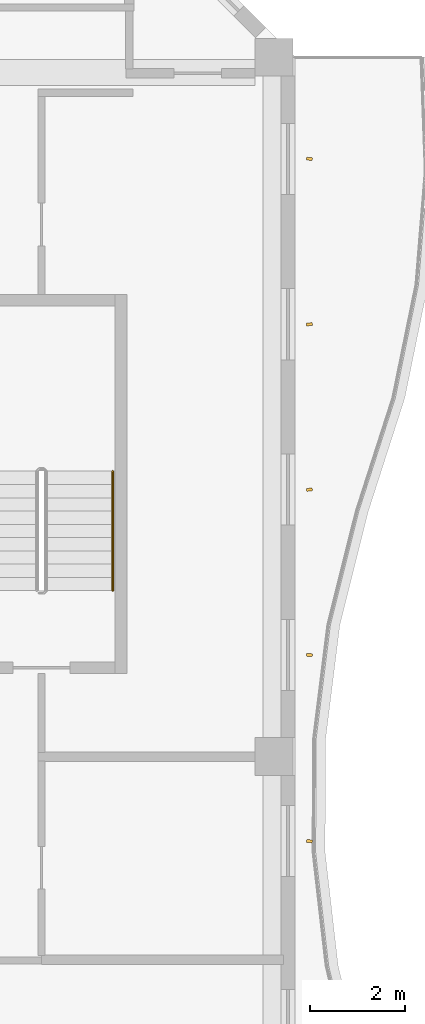
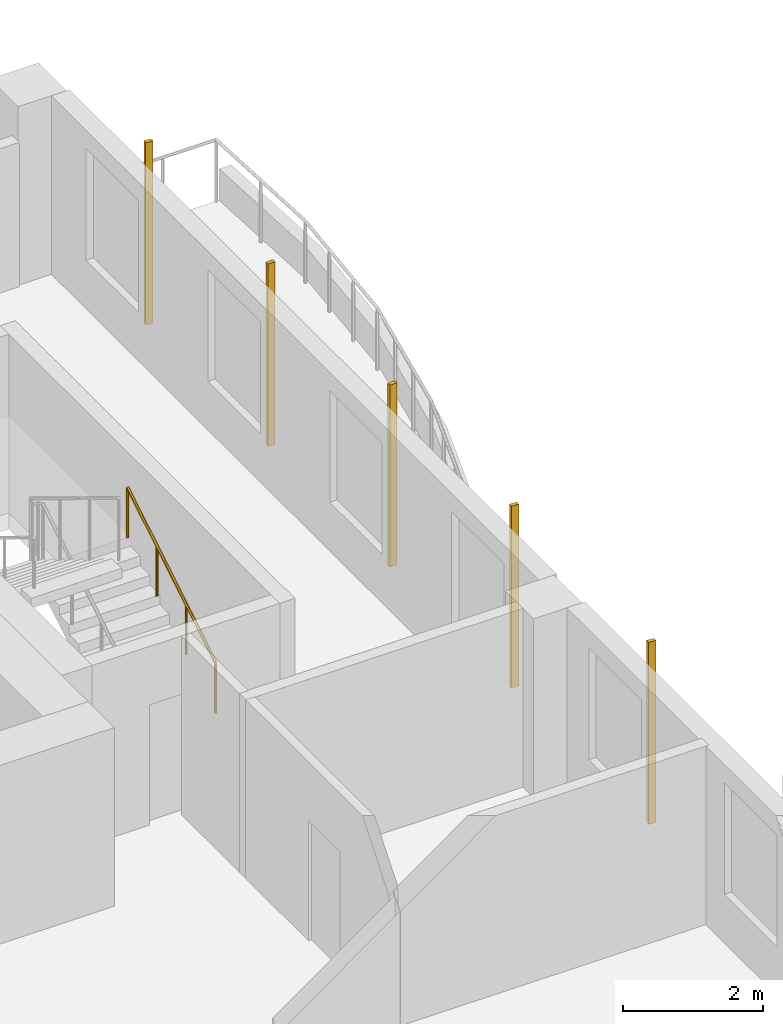
# One storey, part 21 of 21: 5 shading devices, 1 railing.
"""IFC4 building model written with IfcOpenShell, lengths in metres."""

import ifcopenshell
import ifcopenshell.guid

model = None  # the IFC model being written
_history = None  # IfcOwnerHistory: only IFC2X3 demands one
_inside = {}  # id of a spatial element -> (the spatial element, [elements in it])
_under = {}  # id of a project, library or spatial element -> (it, [spatial elements below it])
_declared = {}  # id of a project -> (the project, [libraries it declares])
_typed = {}  # id of a type object -> (the type object, [elements of that type])
_made_of = {}  # id of a material, layer set ... -> (it, [elements and type objects made of it])


def new_model(schema):
    """Start an empty IFC model of exactly this schema.

    Asked for "IFC4X3", IfcOpenShell would pick the latest addendum, in which some entities
    have other attributes; the version numbers below select the first issue.
    IFC2X3 requires an IfcOwnerHistory on every rooted entity: one is made here for all.
    """
    global model, _history
    if schema == "IFC4X3":
        model = ifcopenshell.file(schema_version=(4, 3, 0, 0))
    else:
        model = ifcopenshell.file(schema=schema)
    _inside.clear()
    _under.clear()
    _declared.clear()
    _typed.clear()
    _made_of.clear()
    _history = None
    if model.schema == "IFC2X3":
        org = make("IfcOrganization", Name="unknown")
        user = make(
            "IfcPersonAndOrganization",
            ThePerson=make("IfcPerson", FamilyName="unknown"),
            TheOrganization=org,
        )
        app = make(
            "IfcApplication",
            ApplicationDeveloper=org,
            Version="unknown",
            ApplicationFullName="unknown",
            ApplicationIdentifier="unknown",
        )
        _history = make(
            "IfcOwnerHistory",
            OwningUser=user,
            OwningApplication=app,
            ChangeAction="ADDED",
            CreationDate=0,
        )
    return model


def make(cls, **values):
    """One entity of the class cls with the attributes given. An attribute that is None is left unset."""
    return model.create_entity(
        cls, **{name: value for name, value in values.items() if value is not None}
    )


def rooted(cls, **values):
    """An entity with a GlobalId (a new one), such as an element, a storey or a relation."""
    return make(cls, GlobalId=ifcopenshell.guid.new(), OwnerHistory=_history, **values)


def si_unit(unit_type, name, prefix=None):
    """IfcSIUnit, for example si_unit("LENGTHUNIT", "METRE", prefix="MILLI")."""
    return make("IfcSIUnit", UnitType=unit_type, Prefix=prefix, Name=name)


def assignment(units):
    """IfcUnitAssignment: the units of a project."""
    return None if units is None else make("IfcUnitAssignment", Units=units)


def point(xyz):
    """IfcCartesianPoint."""
    return None if xyz is None else make("IfcCartesianPoint", Coordinates=xyz)


def direction(xyz):
    """IfcDirection."""
    return None if xyz is None else make("IfcDirection", DirectionRatios=xyz)


def frame(location, z_axis=None, x_axis=None):
    """IfcAxis2Placement3D, a coordinate frame: its origin and axes. An axis left out is left unset."""
    return make(
        "IfcAxis2Placement3D",
        Location=point(location),
        Axis=direction(z_axis),
        RefDirection=direction(x_axis),
    )


def frame_2d(location, x_axis=None):
    """IfcAxis2Placement2D, a coordinate frame in the plane: its origin and x axis."""
    return make(
        "IfcAxis2Placement2D", Location=point(location), RefDirection=direction(x_axis)
    )


def origin():
    """The frame at (0, 0, 0) with its axes left unset."""
    return frame((0.0, 0.0, 0.0))


def origin_2d():
    """The frame at (0, 0) in the plane with its x axis left unset."""
    return frame_2d((0.0, 0.0))


def place(relative_to, where):
    """IfcLocalPlacement: puts the frame where relative to a parent placement (None: the world)."""
    return make(
        "IfcLocalPlacement", PlacementRelTo=relative_to, RelativePlacement=where
    )


def context(
    kind, dimensions, precision=None, world=None, true_north=None, identifier=None
):
    """IfcGeometricRepresentationContext, for example the 3D "Model" context."""
    return make(
        "IfcGeometricRepresentationContext",
        ContextIdentifier=identifier,
        ContextType=kind,
        CoordinateSpaceDimension=dimensions,
        Precision=precision,
        WorldCoordinateSystem=world,
        TrueNorth=true_north,
    )


def subcontext(parent, identifier, kind, view, scale=None):
    """IfcGeometricRepresentationSubContext, for example "Body" below "Model"."""
    return make(
        "IfcGeometricRepresentationSubContext",
        ContextIdentifier=identifier,
        ContextType=kind,
        ParentContext=parent,
        TargetScale=scale,
        TargetView=view,
    )


def project(units=None, contexts=None):
    """IfcProject with its units and contexts."""
    return rooted(
        "IfcProject",
        Name="project",
        RepresentationContexts=contexts,
        UnitsInContext=assignment(units),
    )


def spatial(cls, under=None, at=None, **own):
    """A site, building, storey or space (cls), placed at a placement, below another one or the project."""
    s = rooted(cls, ObjectPlacement=at, **own)
    if under is not None:
        _under.setdefault(under.id(), (under, []))[1].append(s)
    return s


def profile(cls, at=None, kind="AREA", **sizes):
    """A parametric profile (cls). Its sizes go by their IFC names, for example OverallWidth=200.0."""
    return make(cls, ProfileType=kind, Position=at, **sizes)


def rectangle(**sizes):
    """IfcRectangleProfileDef."""
    return profile("IfcRectangleProfileDef", **sizes)


def circle(**sizes):
    """IfcCircleProfileDef."""
    return profile("IfcCircleProfileDef", **sizes)


def extrude(swept, where, along, depth):
    """IfcExtrudedAreaSolid: the profile swept, set in the frame where, extruded along a direction by depth."""
    return make(
        "IfcExtrudedAreaSolid",
        SweptArea=swept,
        Position=where,
        ExtrudedDirection=direction(along),
        Depth=depth,
    )


def shape(context_of_items, identifier, shape_type, items):
    """IfcShapeRepresentation: the items that make up one representation, for example the "Body"."""
    return make(
        "IfcShapeRepresentation",
        ContextOfItems=context_of_items,
        RepresentationIdentifier=identifier,
        RepresentationType=shape_type,
        Items=items,
    )


def source(mapping_origin, context_of_items, identifier, shape_type, items):
    """IfcRepresentationMap: a shape defined once, which mapped items show again and again."""
    return make(
        "IfcRepresentationMap",
        MappingOrigin=mapping_origin,
        MappedRepresentation=shape(context_of_items, identifier, shape_type, items),
    )


def transform(
    local_origin,
    x_axis=None,
    y_axis=None,
    z_axis=None,
    scale=None,
    scale2=None,
    scale3=None,
    uniform=True,
):
    """IfcCartesianTransformationOperator3D, or its non-uniform kind. x_axis, y_axis, z_axis: its Axis1, 2, 3."""
    if uniform:
        return make(
            "IfcCartesianTransformationOperator3D",
            Axis1=direction(x_axis),
            Axis2=direction(y_axis),
            LocalOrigin=point(local_origin),
            Scale=scale,
            Axis3=direction(z_axis),
        )
    return make(
        "IfcCartesianTransformationOperator3DnonUniform",
        Axis1=direction(x_axis),
        Axis2=direction(y_axis),
        LocalOrigin=point(local_origin),
        Scale=scale,
        Axis3=direction(z_axis),
        Scale2=scale2,
        Scale3=scale3,
    )


def mapped(mapping_source, mapping_target):
    """IfcMappedItem: shows the shape of a source again, moved by a transform."""
    return make(
        "IfcMappedItem", MappingSource=mapping_source, MappingTarget=mapping_target
    )


def material(Name=None, Category=None):
    """IfcMaterial."""
    return make("IfcMaterial", Name=Name, Category=Category)


def material_profile(
    of_material, cross_section, Name=None, Category=None, Priority=None
):
    """IfcMaterialProfile: a cross section and its material."""
    return make(
        "IfcMaterialProfile",
        Name=Name,
        Material=of_material,
        Profile=cross_section,
        Priority=Priority,
        Category=Category,
    )


def profile_set(profiles, Name=None, composite=None):
    """IfcMaterialProfileSet."""
    return make(
        "IfcMaterialProfileSet",
        Name=Name,
        MaterialProfiles=profiles,
        CompositeProfile=composite,
    )


def made_of(thing, what):
    """Note that an element or type object is made of a material, layer set ...; save() writes the relation."""
    if what is not None:
        _made_of.setdefault(what.id(), (what, []))[1].append(thing)
    return thing


def type_object(cls, material=None, **own):
    """A type object (cls), such as IfcWallType, which elements share."""
    return made_of(rooted(cls, **own), material)


def element(
    cls,
    number,
    at=None,
    inside=None,
    cuts=None,
    type_object=None,
    material=None,
    context=None,
    identifier="Body",
    shape_type=None,
    held_by="IfcProductDefinitionShape",
    body=None,
    shapes=None,
    **own,
):
    """One element of the class cls, such as IfcWall. Its Tag is "e" and its number.

    at: its placement. inside: the storey or other place that contains it. cuts: it is an
    opening in that element (IfcRelVoidsElement). A single representation is given by context,
    identifier, shape_type and body (its items); several are given by shapes. held_by: the class
    of the entity that holds the representations. save() writes the other relations.
    """
    e = rooted(cls, Tag="e%d" % number, ObjectPlacement=at, **own)
    if body is not None:
        shapes = [shape(context, identifier, shape_type, body)]
    if shapes is not None:
        e.Representation = make(held_by, Representations=shapes)
    if inside is not None:
        _inside.setdefault(inside.id(), (inside, []))[1].append(e)
    if cuts is not None:
        rooted(
            "IfcRelVoidsElement", RelatingBuildingElement=cuts, RelatedOpeningElement=e
        )
    if type_object is not None:
        _typed.setdefault(type_object.id(), (type_object, []))[1].append(e)
    return made_of(e, material)


def aggregate(whole, parts):
    """IfcRelAggregates: a whole, such as a stair, and the parts it consists of."""
    return rooted("IfcRelAggregates", RelatingObject=whole, RelatedObjects=parts)


def save(model, path):
    """Write the relations noted so far, then the file.

    IfcRelAggregates (storeys below a building ...), IfcRelContainedInSpatialStructure (elements
    in a storey), IfcRelDefinesByType, IfcRelAssociatesMaterial and IfcRelDeclares: one each for
    every whole, place, type object, material and project.
    """
    for whole, parts in _under.values():
        aggregate(whole, parts)
    for where, things in _inside.values():
        rooted(
            "IfcRelContainedInSpatialStructure",
            RelatedElements=things,
            RelatingStructure=where,
        )
    for kind, things in _typed.values():
        rooted("IfcRelDefinesByType", RelatedObjects=things, RelatingType=kind)
    for what, things in _made_of.values():
        rooted("IfcRelAssociatesMaterial", RelatedObjects=things, RelatingMaterial=what)
    for by, libraries in _declared.values():
        rooted("IfcRelDeclares", RelatingContext=by, RelatedDefinitions=libraries)
    model.write(path)


model = new_model("IFC4")

# Units and contexts
model_context = context("Model", 3, precision=1e-05, world=origin(), true_north=direction((0.0, 1.0)))
body_context = subcontext(model_context, "Body", "Model", "MODEL_VIEW")
ifc_project = project(units=[si_unit("LENGTHUNIT", "METRE"), si_unit("AREAUNIT", "SQUARE_METRE"), si_unit("VOLUMEUNIT", "CUBIC_METRE"), si_unit("PLANEANGLEUNIT", "RADIAN"), si_unit("MASSUNIT", "GRAM", prefix="KILO")], contexts=[model_context])

# Site, building, storey
site_placement = place(None, origin())
site = spatial("IfcSite", under=ifc_project, at=site_placement, CompositionType="ELEMENT")
building_placement = place(site_placement, origin())
building = spatial("IfcBuilding", under=site, at=building_placement, Name="Kilnfold Tower and Market Hall", CompositionType="ELEMENT")
storey_placement = place(building_placement, frame((0.0, 0.0, 185.5)))
storey = spatial("IfcBuildingStorey", under=building, at=storey_placement, Name="L44", CompositionType="ELEMENT", Elevation=185.5)

# Railing
ifc_material_1 = material(Name="Stainless steel 316", Category="steel")
railing_type = type_object("IfcRailingType", Name="CORE STAIR HANDRAIL 900", PredefinedType="HANDRAIL", material=ifc_material_1)
railing_placement = place(storey_placement, frame((21.39990234375, 11.5, 0.169921875)))
element("IfcRailing", 1, at=railing_placement, inside=storey, type_object=railing_type, Name="L44 ST5 stair handrail 1", PredefinedType="HANDRAIL", context=body_context, shape_type="SweptSolid", body=[
    extrude(circle(Radius=0.02392578125, at=origin_2d()), frame((0.0, 0.0, 0.8759765625), z_axis=(0.0, 0.85478489116, 0.518982456201), x_axis=(-1.0, 0.0, 0.0)), (0.0, 0.0, 1.0), 2.9482421875),
    extrude(circle(Radius=0.02099609375, at=origin_2d()), origin(), (0.0, 0.0, 1.0), 0.851806640625),
    extrude(circle(Radius=0.02099609375, at=origin_2d()), frame((0.0, 0.840087890625, 0.510009765625)), (0.0, 0.0, 1.0), 0.851806640625),
    extrude(circle(Radius=0.02099609375, at=origin_2d()), frame((0.0, 1.679931640625, 1.02001953125)), (0.0, 0.0, 1.0), 0.851806640625),
    extrude(circle(Radius=0.02099609375, at=origin_2d()), frame((0.0, 2.52001953125, 1.530029296875)), (0.0, 0.0, 1.0), 0.851806640625),
])

# Shading devices
ifc_material_2 = material(Name="Terracotta", Category="masonry")
ifc_material_profile = material_profile(ifc_material_2, rectangle(XDim=0.06005859375, YDim=0.1201171875, at=origin_2d()), Name="BAG 60x120")
ifc_profile_set = profile_set([ifc_material_profile], Name="Terracotta")
shading_device_type = type_object("IfcShadingDeviceType", Name="BAGUETTE", PredefinedType="USERDEFINED", material=ifc_profile_set)
shared_shape = source(origin(), body_context, "Body", "SweptSolid", [
    extrude(rectangle(XDim=0.06005859375, YDim=0.1201171875, at=origin_2d()), origin(), (0.0, 0.0, 1.0), 3.179931640625),
])
for number, where, z_axis, x_axis, name in (
    (2, (25.550048828125, 6.21875, 0.0), (0.0, 0.0, 1.0), (0.102056409125, 0.994778613238, 0.0), "Terracotta baguette L44 E"),
    (3, (25.550048828125, 10.143798828125, 0.0), (0.0, 0.0, 1.0), (0.07392573331, 0.997263749444, 0.0), "Terracotta baguette L44 E"),
    (4, (25.550048828125, 13.63134765625, 0.0), (0.0, 0.0, 1.0), (-0.117717651589, 0.993047105884, 0.0), "Terracotta baguette L44 E"),
    (5, (25.550048828125, 17.11865234375, 0.0), (0.0, 0.0, 1.0), (-0.075246748238, 0.99716494467, 0.0), "Terracotta baguette L44 E"),
    (6, (25.550048828125, 20.606201171875, 0.0), (0.0, 0.0, 1.0), (0.116878743713, 0.993146192294, 0.0), "Terracotta baguette L44 E"),
):
    element("IfcShadingDevice", number, at=place(storey_placement, frame(where, z_axis=z_axis, x_axis=x_axis)), inside=storey, type_object=shading_device_type, Name=name, ObjectType="BAGUETTE", PredefinedType="USERDEFINED", context=body_context, shape_type="MappedRepresentation", body=[
        mapped(shared_shape, transform((0.0, 0.0, 0.0))),
    ])

save(model, "model.ifc")
